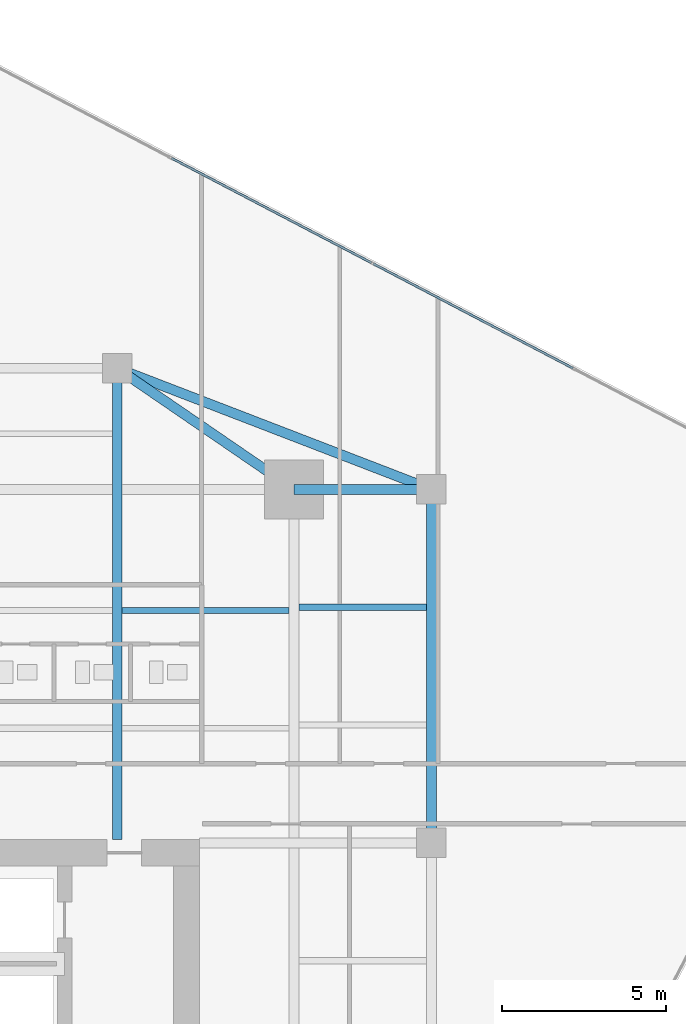
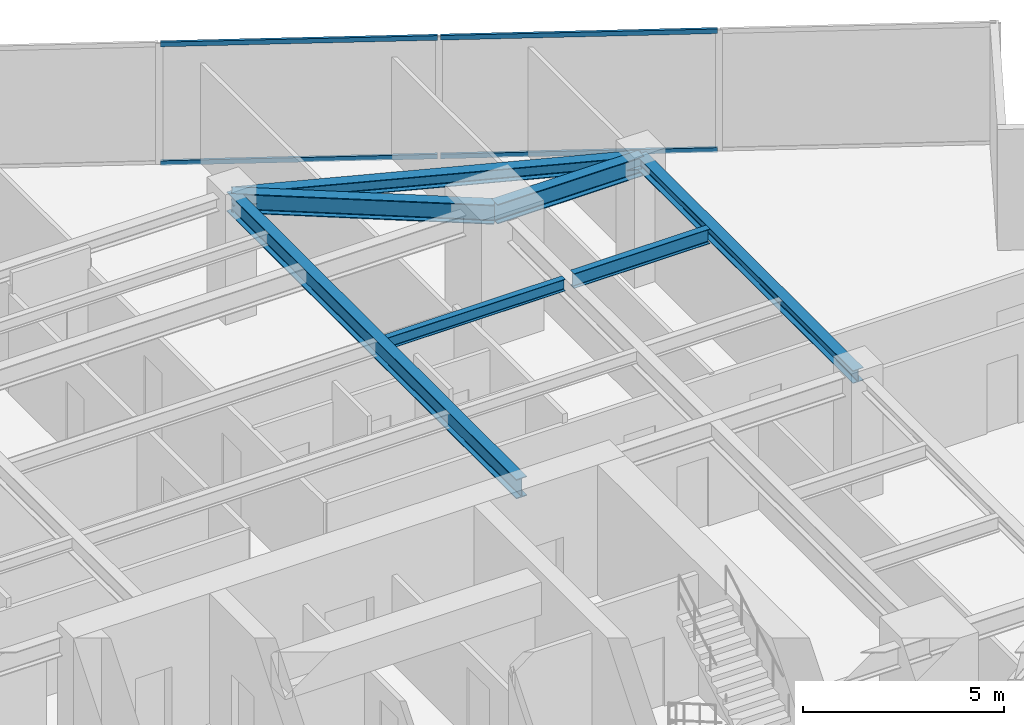
# One storey, part 18 of 27: 7 beams, 4 members, 1 element without a shape of its own.
"""IFC4 building model written with IfcOpenShell, lengths in metres."""

from ifc_helpers import new_model, si_unit, direction, frame, origin, origin_2d, place, context, subcontext, project, spatial, hollow_rectangle, i_section, extrude, source, transform, mapped, material, material_profile, profile_set, type_object, type_shapes, element, aggregate, save


model = new_model("IFC4")

# Units and contexts
model_context = context("Model", 3, precision=1e-05, world=origin(), true_north=direction((0.0, 1.0)))
body_context = subcontext(model_context, "Body", "Model", "MODEL_VIEW")
ifc_project = project(units=[si_unit("LENGTHUNIT", "METRE"), si_unit("AREAUNIT", "SQUARE_METRE"), si_unit("VOLUMEUNIT", "CUBIC_METRE"), si_unit("PLANEANGLEUNIT", "RADIAN"), si_unit("MASSUNIT", "GRAM", prefix="KILO")], contexts=[model_context])

# Site, building, storey
site_placement = place(None, origin())
site = spatial("IfcSite", under=ifc_project, at=site_placement, CompositionType="ELEMENT")
building_placement = place(site_placement, origin())
building = spatial("IfcBuilding", under=site, at=building_placement, Name="Krantzveldt Concourse Tower", CompositionType="ELEMENT")
storey_placement = place(building_placement, frame((0.0, 0.0, 154.10009765625)))
storey = spatial("IfcBuildingStorey", under=building, at=storey_placement, Name="L37", CompositionType="ELEMENT", Elevation=154.10009765625)

# Beams
ifc_material_1 = material(Name="Steel S355JR", Category="steel")
ifc_material_profile_1 = material_profile(ifc_material_1, i_section(OverallWidth=0.300048828125, OverallDepth=0.590087890625, WebThickness=0.012939453125, FlangeThickness=0.02490234375, FilletRadius=0.027099609375, at=origin_2d()), Name="Steel S355JR", Category="steel")
ifc_profile_set_1 = profile_set([ifc_material_profile_1], Name="Steel S355JR - HEA 600")
beam_type_1 = type_object("IfcBeamType", Name="BM-B-HEA600", PredefinedType="BEAM", material=ifc_profile_set_1)
shared_shape_1 = source(origin(), body_context, "Body", "SweptSolid", [
    extrude(i_section(OverallWidth=0.300048828125, OverallDepth=0.590087890625, WebThickness=0.012939453125, FlangeThickness=0.02490234375, FilletRadius=0.027099609375, at=origin_2d()), origin(), (0.0, 0.0, 1.0), 14.39990234375),
])
beam_1_placement = place(storey_placement, frame((41.39990234375, 26.800048828125, 3.375), z_axis=(0.0, 1.0, 0.0), x_axis=(-1.0, 0.0, 0.0)))
element("IfcBeam", 1, at=beam_1_placement, inside=storey, type_object=beam_type_1, Name="L37 Tower Girder BG-CNE", PredefinedType="BEAM", context=body_context, shape_type="MappedRepresentation", body=[
    mapped(shared_shape_1, transform((0.0, 0.0, 0.0), x_axis=(1.0, 0.0, 0.0), y_axis=(0.0, 1.0, 0.0), z_axis=(0.0, 0.0, 1.0), scale=1.0)),
])
shared_shape_2 = source(origin(), body_context, "Body", "SweptSolid", [
    extrude(i_section(OverallWidth=0.300048828125, OverallDepth=0.590087890625, WebThickness=0.012939453125, FlangeThickness=0.02490234375, FilletRadius=0.027099609375, at=origin_2d()), origin(), (0.0, 0.0, 1.0), 4.199951171875),
])
beam_2_placement = place(storey_placement, frame((46.800048828125, 37.5, 3.375), z_axis=(1.0, 0.0, 0.0), x_axis=(0.0, 1.0, 0.0)))
element("IfcBeam", 2, at=beam_2_placement, inside=storey, type_object=beam_type_1, Name="L37 Tower Girder BR-RR3", PredefinedType="BEAM", context=body_context, shape_type="MappedRepresentation", body=[
    mapped(shared_shape_2, transform((0.0, 0.0, 0.0), x_axis=(1.0, 0.0, 0.0), y_axis=(0.0, 1.0, 0.0), z_axis=(0.0, 0.0, 1.0), scale=1.0)),
])
shared_shape_3 = source(origin(), body_context, "Body", "SweptSolid", [
    extrude(i_section(OverallWidth=0.300048828125, OverallDepth=0.590087890625, WebThickness=0.012939453125, FlangeThickness=0.02490234375, FilletRadius=0.027099609375, at=origin_2d()), origin(), (0.0, 0.0, 1.0), 6.546142578125),
])
type_shapes(beam_type_1, [shared_shape_1, shared_shape_2, shared_shape_3])
beam_3_placement = place(storey_placement, frame((46.800048828125, 37.5, 3.375), z_axis=(-0.824942999484, 0.565215930068, 0.0), x_axis=(-0.565215930068, -0.824942999484, 0.0)))
element("IfcBeam", 3, at=beam_3_placement, inside=storey, type_object=beam_type_1, Name="L37 Tower Girder BR-RR4", PredefinedType="BEAM", context=body_context, shape_type="MappedRepresentation", body=[
    mapped(shared_shape_3, transform((0.0, 0.0, 0.0), x_axis=(1.0, 0.0, 0.0), y_axis=(0.0, 1.0, 0.0), z_axis=(0.0, 0.0, 1.0), scale=1.0)),
])
ifc_material_profile_2 = material_profile(ifc_material_1, i_section(OverallWidth=0.300048828125, OverallDepth=0.389892578125, WebThickness=0.010986328125, FlangeThickness=0.01904296875, FilletRadius=0.027099609375, at=origin_2d()), Name="Steel S355JR", Category="steel")
ifc_profile_set_2 = profile_set([ifc_material_profile_2], Name="Steel S355JR - HEA 400")
beam_type_2 = type_object("IfcBeamType", Name="BM-SP-HEA400", PredefinedType="SPANDREL", material=ifc_profile_set_2)
shared_shape_4 = source(origin(), body_context, "Body", "SweptSolid", [
    extrude(i_section(OverallWidth=0.300048828125, OverallDepth=0.389892578125, WebThickness=0.010986328125, FlangeThickness=0.01904296875, FilletRadius=0.027099609375, at=origin_2d()), origin(), (0.0, 0.0, 1.0), 10.800048828125),
])
beam_4_placement = place(storey_placement, frame((51.0, 37.5, 3.474853515625), z_axis=(0.0, -1.0, 0.0), x_axis=(1.0, 0.0, 0.0)))
element("IfcBeam", 4, at=beam_4_placement, inside=storey, type_object=beam_type_2, Name="L37 Tower Girder SP-R06", PredefinedType="SPANDREL", context=body_context, shape_type="MappedRepresentation", body=[
    mapped(shared_shape_4, transform((0.0, 0.0, 0.0), x_axis=(1.0, 0.0, 0.0), y_axis=(0.0, 1.0, 0.0), z_axis=(0.0, 0.0, 1.0), scale=1.0)),
])
shared_shape_5 = source(origin(), body_context, "Body", "SweptSolid", [
    extrude(i_section(OverallWidth=0.300048828125, OverallDepth=0.389892578125, WebThickness=0.010986328125, FlangeThickness=0.01904296875, FilletRadius=0.027099609375, at=origin_2d()), origin(), (0.0, 0.0, 1.0), 10.288330078125),
])
type_shapes(beam_type_2, [shared_shape_4, shared_shape_5])
beam_5_placement = place(storey_placement, frame((41.39990234375, 41.199951171875, 3.474853515625), z_axis=(0.933097690408, -0.359622997257, 0.0), x_axis=(0.359622997257, 0.933097690408, 0.0)))
element("IfcBeam", 5, at=beam_5_placement, inside=storey, type_object=beam_type_2, Name="L37 Tower Girder SP-R05", PredefinedType="SPANDREL", context=body_context, shape_type="MappedRepresentation", body=[
    mapped(shared_shape_5, transform((0.0, 0.0, 0.0), x_axis=(1.0, 0.0, 0.0), y_axis=(0.0, 1.0, 0.0), z_axis=(0.0, 0.0, 1.0), scale=1.0)),
])
ifc_material_profile_3 = material_profile(ifc_material_1, i_section(OverallWidth=0.169921875, OverallDepth=0.360107421875, WebThickness=0.008056640625, FlangeThickness=0.0126953125, FilletRadius=0.01806640625, at=origin_2d()), Name="Steel S355JR", Category="steel")
ifc_profile_set_3 = profile_set([ifc_material_profile_3], Name="Steel S355JR - IPE 360")
beam_type_3 = type_object("IfcBeamType", Name="BM-J-IPE360", PredefinedType="JOIST", material=ifc_profile_set_3)
shared_shape_6 = source(origin(), body_context, "Body", "SweptSolid", [
    extrude(i_section(OverallWidth=0.169921875, OverallDepth=0.360107421875, WebThickness=0.008056640625, FlangeThickness=0.0126953125, FilletRadius=0.01806640625, at=origin_2d()), origin(), (0.0, 0.0, 1.0), 5.099853515625),
])
type_shapes(beam_type_3, [shared_shape_6])
beam_6_placement = place(storey_placement, frame((41.550048828125, 33.800048828125, 3.489990234375), z_axis=(1.0, 0.0, 0.0), x_axis=(0.0, 1.0, 0.0)))
element("IfcBeam", 6, at=beam_6_placement, inside=storey, type_object=beam_type_3, Name="L37 Secondary Floor Joist JN-E2", PredefinedType="JOIST", context=body_context, shape_type="MappedRepresentation", body=[
    mapped(shared_shape_6, transform((0.0, 0.0, 0.0), x_axis=(1.0, 0.0, 0.0), y_axis=(0.0, 1.0, 0.0), z_axis=(0.0, 0.0, 1.0), scale=1.0)),
])
ifc_material_profile_4 = material_profile(ifc_material_1, i_section(OverallWidth=0.18994140625, OverallDepth=0.449951171875, WebThickness=0.009521484375, FlangeThickness=0.0146484375, FilletRadius=0.02099609375, at=origin_2d()), Name="Steel S355JR", Category="steel")
ifc_profile_set_4 = profile_set([ifc_material_profile_4], Name="Steel S355JR - IPE 450")
beam_type_4 = type_object("IfcBeamType", Name="BM-J-IPE450", PredefinedType="JOIST", material=ifc_profile_set_4)
shared_shape_7 = source(origin(), body_context, "Body", "SweptSolid", [
    extrude(i_section(OverallWidth=0.18994140625, OverallDepth=0.449951171875, WebThickness=0.009521484375, FlangeThickness=0.0146484375, FilletRadius=0.02099609375, at=origin_2d()), origin(), (0.0, 0.0, 1.0), 3.900146484375),
])
type_shapes(beam_type_4, [shared_shape_7])
beam_7_placement = place(storey_placement, frame((46.949951171875, 33.89990234375, 3.44482421875), z_axis=(1.0, 0.0, 0.0), x_axis=(0.0, 1.0, 0.0)))
element("IfcBeam", 7, at=beam_7_placement, inside=storey, type_object=beam_type_4, Name="L37 Secondary Floor Joist JE-4", PredefinedType="JOIST", context=body_context, shape_type="MappedRepresentation", body=[
    mapped(shared_shape_7, transform((0.0, 0.0, 0.0), x_axis=(1.0, 0.0, 0.0), y_axis=(0.0, 1.0, 0.0), z_axis=(0.0, 0.0, 1.0), scale=1.0)),
])

# Curtain wall, members
ifc_material_2 = material(Name="Anodised aluminium 6063-T6", Category="aluminium")
curtain_wall_type = type_object("IfcCurtainWallType", Name="CW3", PredefinedType="USERDEFINED", material=ifc_material_2)
curtain_wall_placement = place(storey_placement, origin())
curtain_wall = element("IfcCurtainWall", 8, at=curtain_wall_placement, inside=storey, type_object=curtain_wall_type, Name="CW-L37-F10", ObjectType="UNITISED CURTAIN WALL", PredefinedType="USERDEFINED")
ifc_material_profile_5 = material_profile(ifc_material_2, hollow_rectangle(XDim=0.070068359375, YDim=0.139892578125, WallThickness=0.0048828125, at=origin_2d()), Name="Anodised aluminium 6063-T6", Category="aluminium")
ifc_profile_set_5 = profile_set([ifc_material_profile_5], Name="Anodised aluminium 6063-T6 - ALU-TRAN 140x70x5")
member_type = type_object("IfcMemberType", Name="CW-TRN-150", PredefinedType="USERDEFINED", material=ifc_profile_set_5)
shared_shape_8 = source(origin(), body_context, "Body", "SweptSolid", [
    extrude(hollow_rectangle(XDim=0.070068359375, YDim=0.139892578125, WallThickness=0.0048828125, at=origin_2d()), origin(), (0.0, 0.0, 1.0), 6.89013671875),
])
member_1_placement = place(storey_placement, frame((49.165283203125, 44.42626953125, 0.034912109375), z_axis=(-0.88600416291, 0.463677283577, 0.0), x_axis=(-0.463677283577, -0.88600416291, 0.0)))
member_1 = element("IfcMember", 9, at=member_1_placement, type_object=member_type, Name="CW-Z34 transom 3.1", ObjectType="TRANSOM", PredefinedType="USERDEFINED", context=body_context, shape_type="MappedRepresentation", body=[
    mapped(shared_shape_8, transform((0.0, 0.0, 0.0), x_axis=(1.0, 0.0, 0.0), y_axis=(0.0, 1.0, 0.0), z_axis=(0.0, 0.0, 1.0), scale=1.0)),
])
member_2_placement = place(storey_placement, frame((49.165283203125, 44.42626953125, 3.635009765625), z_axis=(-0.88600416291, 0.463677283577, 0.0), x_axis=(-0.463677283577, -0.88600416291, 0.0)))
member_2 = element("IfcMember", 10, at=member_2_placement, type_object=member_type, Name="CW-Z34 transom 3.2", ObjectType="TRANSOM", PredefinedType="USERDEFINED", context=body_context, shape_type="MappedRepresentation", body=[
    mapped(shared_shape_8, transform((0.0, 0.0, 0.0), x_axis=(1.0, 0.0, 0.0), y_axis=(0.0, 1.0, 0.0), z_axis=(0.0, 0.0, 1.0), scale=1.0)),
])
shared_shape_9 = source(origin(), body_context, "Body", "SweptSolid", [
    extrude(hollow_rectangle(XDim=0.070068359375, YDim=0.139892578125, WallThickness=0.0048828125, at=origin_2d()), origin(), (0.0, 0.0, 1.0), 6.889892578125),
])
type_shapes(member_type, [shared_shape_8, shared_shape_9])
member_3_placement = place(storey_placement, frame((55.331787109375, 41.198974609375, 0.034912109375), z_axis=(-0.885996544559, 0.46369184059, 0.0), x_axis=(-0.46369184059, -0.885996544559, 0.0)))
member_3 = element("IfcMember", 11, at=member_3_placement, type_object=member_type, Name="CW-Z34 transom 2.1", ObjectType="TRANSOM", PredefinedType="USERDEFINED", context=body_context, shape_type="MappedRepresentation", body=[
    mapped(shared_shape_9, transform((0.0, 0.0, 0.0), x_axis=(1.0, 0.0, 0.0), y_axis=(0.0, 1.0, 0.0), z_axis=(0.0, 0.0, 1.0), scale=1.0)),
])
member_4_placement = place(storey_placement, frame((55.331787109375, 41.198974609375, 3.635009765625), z_axis=(-0.885996544559, 0.46369184059, 0.0), x_axis=(-0.46369184059, -0.885996544559, 0.0)))
member_4 = element("IfcMember", 12, at=member_4_placement, type_object=member_type, Name="CW-Z34 transom 2.2", ObjectType="TRANSOM", PredefinedType="USERDEFINED", context=body_context, shape_type="MappedRepresentation", body=[
    mapped(shared_shape_9, transform((0.0, 0.0, 0.0), x_axis=(1.0, 0.0, 0.0), y_axis=(0.0, 1.0, 0.0), z_axis=(0.0, 0.0, 1.0), scale=1.0)),
])
aggregate(curtain_wall, [member_3, member_4, member_1, member_2])

save(model, "model.ifc")
